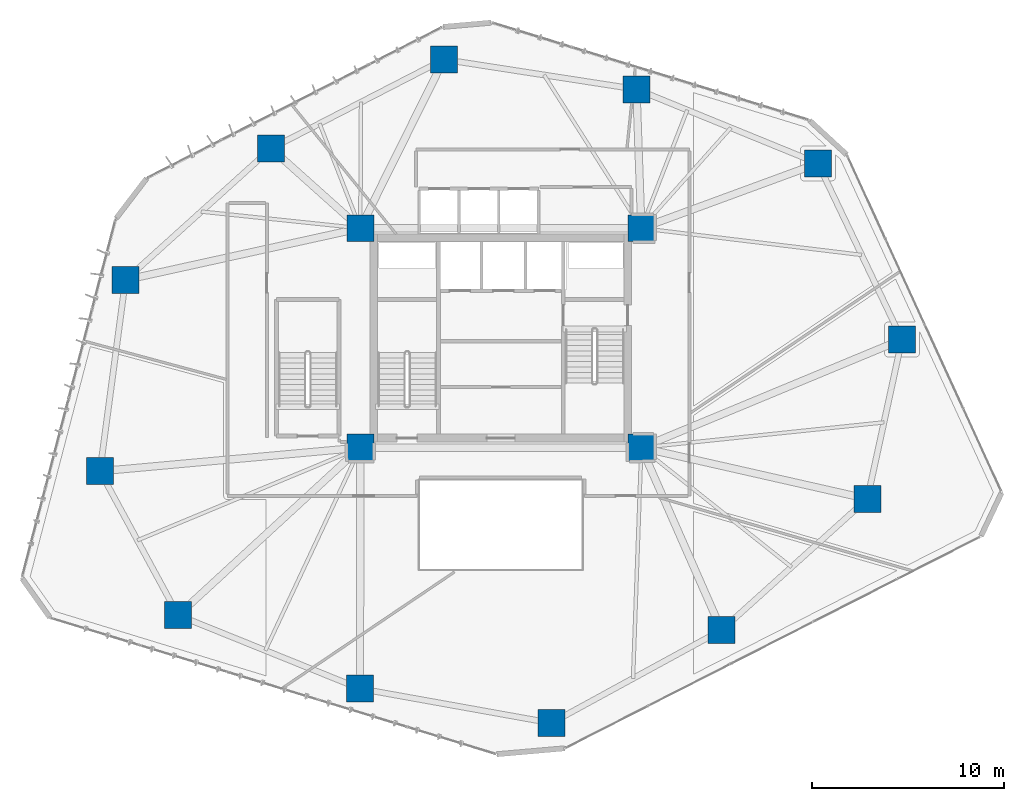
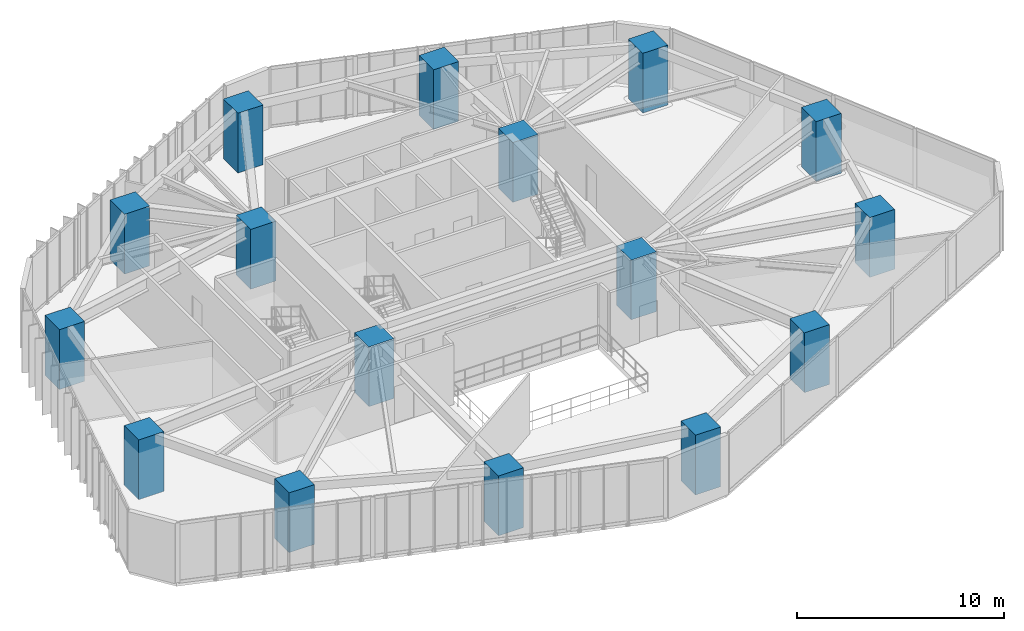
# One storey, part 1 of 24: 16 columns.
"""IFC4 building model written with IfcOpenShell, lengths in metres."""

import ifcopenshell
import ifcopenshell.guid

model = None  # the IFC model being written
_history = None  # IfcOwnerHistory: only IFC2X3 demands one
_inside = {}  # id of a spatial element -> (the spatial element, [elements in it])
_under = {}  # id of a project, library or spatial element -> (it, [spatial elements below it])
_declared = {}  # id of a project -> (the project, [libraries it declares])
_typed = {}  # id of a type object -> (the type object, [elements of that type])
_made_of = {}  # id of a material, layer set ... -> (it, [elements and type objects made of it])


def new_model(schema):
    """Start an empty IFC model of exactly this schema.

    Asked for "IFC4X3", IfcOpenShell would pick the latest addendum, in which some entities
    have other attributes; the version numbers below select the first issue.
    IFC2X3 requires an IfcOwnerHistory on every rooted entity: one is made here for all.
    """
    global model, _history
    if schema == "IFC4X3":
        model = ifcopenshell.file(schema_version=(4, 3, 0, 0))
    else:
        model = ifcopenshell.file(schema=schema)
    _inside.clear()
    _under.clear()
    _declared.clear()
    _typed.clear()
    _made_of.clear()
    _history = None
    if model.schema == "IFC2X3":
        org = make("IfcOrganization", Name="unknown")
        user = make(
            "IfcPersonAndOrganization",
            ThePerson=make("IfcPerson", FamilyName="unknown"),
            TheOrganization=org,
        )
        app = make(
            "IfcApplication",
            ApplicationDeveloper=org,
            Version="unknown",
            ApplicationFullName="unknown",
            ApplicationIdentifier="unknown",
        )
        _history = make(
            "IfcOwnerHistory",
            OwningUser=user,
            OwningApplication=app,
            ChangeAction="ADDED",
            CreationDate=0,
        )
    return model


def make(cls, **values):
    """One entity of the class cls with the attributes given. An attribute that is None is left unset."""
    return model.create_entity(
        cls, **{name: value for name, value in values.items() if value is not None}
    )


def rooted(cls, **values):
    """An entity with a GlobalId (a new one), such as an element, a storey or a relation."""
    return make(cls, GlobalId=ifcopenshell.guid.new(), OwnerHistory=_history, **values)


def si_unit(unit_type, name, prefix=None):
    """IfcSIUnit, for example si_unit("LENGTHUNIT", "METRE", prefix="MILLI")."""
    return make("IfcSIUnit", UnitType=unit_type, Prefix=prefix, Name=name)


def assignment(units):
    """IfcUnitAssignment: the units of a project."""
    return None if units is None else make("IfcUnitAssignment", Units=units)


def point(xyz):
    """IfcCartesianPoint."""
    return None if xyz is None else make("IfcCartesianPoint", Coordinates=xyz)


def direction(xyz):
    """IfcDirection."""
    return None if xyz is None else make("IfcDirection", DirectionRatios=xyz)


def frame(location, z_axis=None, x_axis=None):
    """IfcAxis2Placement3D, a coordinate frame: its origin and axes. An axis left out is left unset."""
    return make(
        "IfcAxis2Placement3D",
        Location=point(location),
        Axis=direction(z_axis),
        RefDirection=direction(x_axis),
    )


def frame_2d(location, x_axis=None):
    """IfcAxis2Placement2D, a coordinate frame in the plane: its origin and x axis."""
    return make(
        "IfcAxis2Placement2D", Location=point(location), RefDirection=direction(x_axis)
    )


def origin():
    """The frame at (0, 0, 0) with its axes left unset."""
    return frame((0.0, 0.0, 0.0))


def origin_2d():
    """The frame at (0, 0) in the plane with its x axis left unset."""
    return frame_2d((0.0, 0.0))


def place(relative_to, where):
    """IfcLocalPlacement: puts the frame where relative to a parent placement (None: the world)."""
    return make(
        "IfcLocalPlacement", PlacementRelTo=relative_to, RelativePlacement=where
    )


def context(
    kind, dimensions, precision=None, world=None, true_north=None, identifier=None
):
    """IfcGeometricRepresentationContext, for example the 3D "Model" context."""
    return make(
        "IfcGeometricRepresentationContext",
        ContextIdentifier=identifier,
        ContextType=kind,
        CoordinateSpaceDimension=dimensions,
        Precision=precision,
        WorldCoordinateSystem=world,
        TrueNorth=true_north,
    )


def subcontext(parent, identifier, kind, view, scale=None):
    """IfcGeometricRepresentationSubContext, for example "Body" below "Model"."""
    return make(
        "IfcGeometricRepresentationSubContext",
        ContextIdentifier=identifier,
        ContextType=kind,
        ParentContext=parent,
        TargetScale=scale,
        TargetView=view,
    )


def project(units=None, contexts=None):
    """IfcProject with its units and contexts."""
    return rooted(
        "IfcProject",
        Name="project",
        RepresentationContexts=contexts,
        UnitsInContext=assignment(units),
    )


def spatial(cls, under=None, at=None, **own):
    """A site, building, storey or space (cls), placed at a placement, below another one or the project."""
    s = rooted(cls, ObjectPlacement=at, **own)
    if under is not None:
        _under.setdefault(under.id(), (under, []))[1].append(s)
    return s


def profile(cls, at=None, kind="AREA", **sizes):
    """A parametric profile (cls). Its sizes go by their IFC names, for example OverallWidth=200.0."""
    return make(cls, ProfileType=kind, Position=at, **sizes)


def rectangle(**sizes):
    """IfcRectangleProfileDef."""
    return profile("IfcRectangleProfileDef", **sizes)


def extrude(swept, where, along, depth):
    """IfcExtrudedAreaSolid: the profile swept, set in the frame where, extruded along a direction by depth."""
    return make(
        "IfcExtrudedAreaSolid",
        SweptArea=swept,
        Position=where,
        ExtrudedDirection=direction(along),
        Depth=depth,
    )


def shape(context_of_items, identifier, shape_type, items):
    """IfcShapeRepresentation: the items that make up one representation, for example the "Body"."""
    return make(
        "IfcShapeRepresentation",
        ContextOfItems=context_of_items,
        RepresentationIdentifier=identifier,
        RepresentationType=shape_type,
        Items=items,
    )


def material(Name=None, Category=None):
    """IfcMaterial."""
    return make("IfcMaterial", Name=Name, Category=Category)


def material_profile(
    of_material, cross_section, Name=None, Category=None, Priority=None
):
    """IfcMaterialProfile: a cross section and its material."""
    return make(
        "IfcMaterialProfile",
        Name=Name,
        Material=of_material,
        Profile=cross_section,
        Priority=Priority,
        Category=Category,
    )


def profile_set(profiles, Name=None, composite=None):
    """IfcMaterialProfileSet."""
    return make(
        "IfcMaterialProfileSet",
        Name=Name,
        MaterialProfiles=profiles,
        CompositeProfile=composite,
    )


def made_of(thing, what):
    """Note that an element or type object is made of a material, layer set ...; save() writes the relation."""
    if what is not None:
        _made_of.setdefault(what.id(), (what, []))[1].append(thing)
    return thing


def type_object(cls, material=None, **own):
    """A type object (cls), such as IfcWallType, which elements share."""
    return made_of(rooted(cls, **own), material)


def element(
    cls,
    number,
    at=None,
    inside=None,
    cuts=None,
    type_object=None,
    material=None,
    context=None,
    identifier="Body",
    shape_type=None,
    held_by="IfcProductDefinitionShape",
    body=None,
    shapes=None,
    **own,
):
    """One element of the class cls, such as IfcWall. Its Tag is "e" and its number.

    at: its placement. inside: the storey or other place that contains it. cuts: it is an
    opening in that element (IfcRelVoidsElement). A single representation is given by context,
    identifier, shape_type and body (its items); several are given by shapes. held_by: the class
    of the entity that holds the representations. save() writes the other relations.
    """
    e = rooted(cls, Tag="e%d" % number, ObjectPlacement=at, **own)
    if body is not None:
        shapes = [shape(context, identifier, shape_type, body)]
    if shapes is not None:
        e.Representation = make(held_by, Representations=shapes)
    if inside is not None:
        _inside.setdefault(inside.id(), (inside, []))[1].append(e)
    if cuts is not None:
        rooted(
            "IfcRelVoidsElement", RelatingBuildingElement=cuts, RelatedOpeningElement=e
        )
    if type_object is not None:
        _typed.setdefault(type_object.id(), (type_object, []))[1].append(e)
    return made_of(e, material)


def aggregate(whole, parts):
    """IfcRelAggregates: a whole, such as a stair, and the parts it consists of."""
    return rooted("IfcRelAggregates", RelatingObject=whole, RelatedObjects=parts)


def save(model, path):
    """Write the relations noted so far, then the file.

    IfcRelAggregates (storeys below a building ...), IfcRelContainedInSpatialStructure (elements
    in a storey), IfcRelDefinesByType, IfcRelAssociatesMaterial and IfcRelDeclares: one each for
    every whole, place, type object, material and project.
    """
    for whole, parts in _under.values():
        aggregate(whole, parts)
    for where, things in _inside.values():
        rooted(
            "IfcRelContainedInSpatialStructure",
            RelatedElements=things,
            RelatingStructure=where,
        )
    for kind, things in _typed.values():
        rooted("IfcRelDefinesByType", RelatedObjects=things, RelatingType=kind)
    for what, things in _made_of.values():
        rooted("IfcRelAssociatesMaterial", RelatedObjects=things, RelatingMaterial=what)
    for by, libraries in _declared.values():
        rooted("IfcRelDeclares", RelatingContext=by, RelatedDefinitions=libraries)
    model.write(path)


model = new_model("IFC4")

# Units and contexts
model_context = context("Model", 3, precision=1e-05, world=origin(), true_north=direction((0.0, 1.0)))
body_context = subcontext(model_context, "Body", "Model", "MODEL_VIEW")
ifc_project = project(units=[si_unit("LENGTHUNIT", "METRE"), si_unit("AREAUNIT", "SQUARE_METRE"), si_unit("VOLUMEUNIT", "CUBIC_METRE"), si_unit("PLANEANGLEUNIT", "RADIAN"), si_unit("MASSUNIT", "GRAM", prefix="KILO")], contexts=[model_context])

# Site, building, storey
site_placement = place(None, origin())
site = spatial("IfcSite", under=ifc_project, at=site_placement, CompositionType="ELEMENT")
building_placement = place(site_placement, origin())
building = spatial("IfcBuilding", under=site, at=building_placement, Name="Talar Marvaseh", CompositionType="ELEMENT")
storey_placement = place(building_placement, frame((0.0, 0.0, 39.199951171875)))
storey = spatial("IfcBuildingStorey", under=building, at=storey_placement, Name="L09", CompositionType="ELEMENT", Elevation=39.199951171875)

# Columns
ifc_material = material(Name="Concrete C70/85", Category="concrete")
ifc_material_profile = material_profile(ifc_material, rectangle(XDim=1.39990234375, YDim=1.39990234375, at=origin_2d()), Name="RC1400x1400")
ifc_profile_set = profile_set([ifc_material_profile], Name="Concrete C70/85")
column_type = type_object("IfcColumnType", Name="Zone 1 Tube Column RC1400x1400", PredefinedType="COLUMN", material=ifc_profile_set)
for number, where, z_axis, x_axis, name in (
    (1, (42.47705078125, 40.26904296875, 0.0), (0.0, 0.0, 1.0), (1.0, 0.0, 0.0), "L09 Zone 1 Tube Column RC1400x1400"),
    (2, (46.841064453125, 31.118896484375, 0.0), (0.0, 0.0, 1.0), (1.0, 0.0, 0.0), "L09 Zone 1 Tube Column RC1400x1400"),
    (3, (45.0439453125, 22.840087890625, 0.0), (0.0, 0.0, 1.0), (1.0, 0.0, 0.0), "L09 Zone 1 Tube Column RC1400x1400"),
    (4, (37.468017578125, 16.02099609375, 0.0), (0.0, 0.0, 1.0), (1.0, 0.0, 0.0), "L09 Zone 1 Tube Column RC1400x1400"),
    (5, (28.625, 11.195068359375, 0.0), (0.0, 0.0, 1.0), (1.0, 0.0, 0.0), "L09 Zone 1 Tube Column RC1400x1400"),
    (6, (18.68310546875, 12.97900390625, 0.0), (0.0, 0.0, 1.0), (1.0, 0.0, 0.0), "L09 Zone 1 Tube Column RC1400x1400"),
    (7, (9.23193359375, 16.7958984375, 0.0), (0.0, 0.0, 1.0), (1.0, 0.0, 0.0), "L09 Zone 1 Tube Column RC1400x1400"),
    (8, (5.175048828125, 24.27587890625, 0.0), (0.0, 0.0, 1.0), (1.0, 0.0, 0.0), "L09 Zone 1 Tube Column RC1400x1400"),
    (9, (6.501953125, 34.214111328125, 0.0), (0.0, 0.0, 1.0), (1.0, 0.0, 0.0), "L09 Zone 1 Tube Column RC1400x1400"),
    (10, (14.069091796875, 41.04296875, 0.0), (0.0, 0.0, 1.0), (1.0, 0.0, 0.0), "L09 Zone 1 Tube Column RC1400x1400"),
    (11, (23.047119140625, 45.6669921875, 0.0), (0.0, 0.0, 1.0), (1.0, 0.0, 0.0), "L09 Zone 1 Tube Column RC1400x1400"),
    (12, (33.0458984375, 44.117919921875, 0.0), (0.0, 0.0, 1.0), (1.0, 0.0, 0.0), "L09 Zone 1 Tube Column RC1400x1400"),
    (13, (18.699951171875, 25.5, 0.0), (0.0, 0.0, 1.0), (1.0, 0.0, 0.0), "L09 Zone 1 Tube Column RC1400x1400"),
    (14, (33.300048828125, 25.5, 0.0), (0.0, 0.0, 1.0), (1.0, 0.0, 0.0), "L09 Zone 1 Tube Column RC1400x1400"),
    (15, (33.300048828125, 36.89990234375, 0.0), (0.0, 0.0, 1.0), (1.0, 0.0, 0.0), "L09 Zone 1 Tube Column RC1400x1400"),
    (16, (18.699951171875, 36.89990234375, 0.0), (0.0, 0.0, 1.0), (1.0, 0.0, 0.0), "L09 Zone 1 Tube Column RC1400x1400"),
):
    element("IfcColumn", number, at=place(storey_placement, frame(where, z_axis=z_axis, x_axis=x_axis)), inside=storey, type_object=column_type, Name=name, PredefinedType="COLUMN", context=body_context, shape_type="SweptSolid", body=[
        extrude(rectangle(XDim=1.39990234375, YDim=1.39990234375, at=origin_2d()), origin(), (0.0, 0.0, 1.0), 3.52001953125),
    ])

save(model, "model.ifc")
